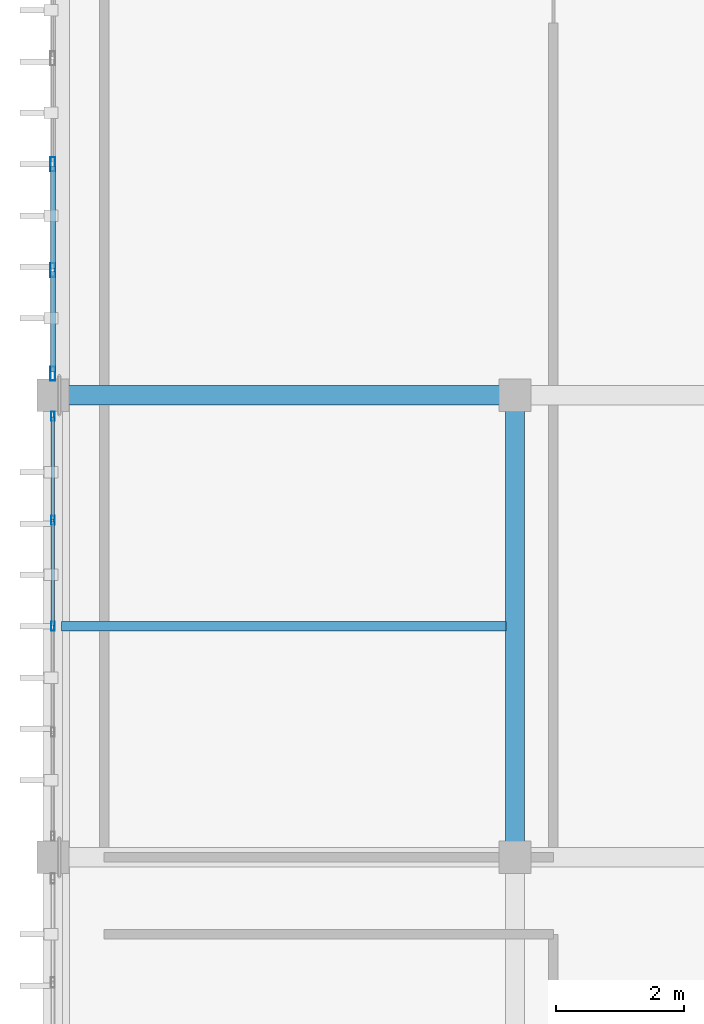
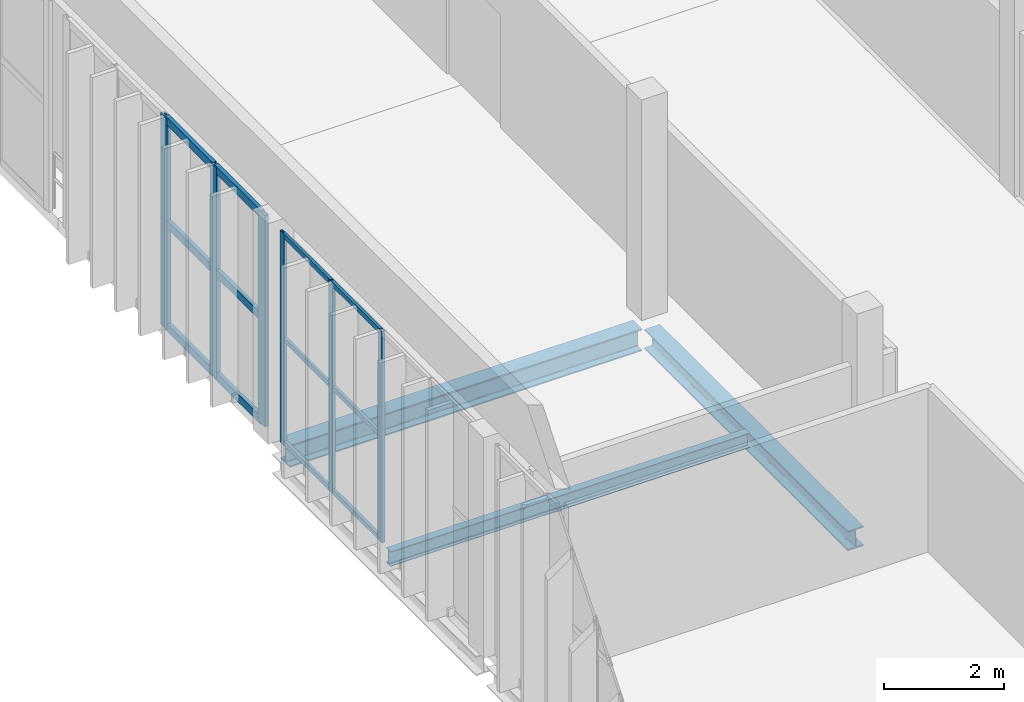
# One storey, part 27 of 64: 18 members, 3 beams, 2 elements without a shape of their own.
"""IFC4 building model written with IfcOpenShell, lengths in metres."""

from ifc_helpers import new_model, si_unit, direction, frame, origin, origin_2d, place, context, subcontext, project, spatial, hollow_rectangle, i_section, extrude, material, material_profile, profile_set, type_object, element, aggregate, save


model = new_model("IFC4")

# Units and contexts
model_context = context("Model", 3, precision=1e-05, world=origin(), true_north=direction((0.0, 1.0)))
body_context = subcontext(model_context, "Body", "Model", "MODEL_VIEW")
ifc_project = project(units=[si_unit("LENGTHUNIT", "METRE"), si_unit("AREAUNIT", "SQUARE_METRE"), si_unit("VOLUMEUNIT", "CUBIC_METRE"), si_unit("PLANEANGLEUNIT", "RADIAN"), si_unit("MASSUNIT", "GRAM", prefix="KILO")], contexts=[model_context])

# Site, building, storey
site_placement = place(None, origin())
site = spatial("IfcSite", under=ifc_project, at=site_placement, CompositionType="ELEMENT")
building_placement = place(site_placement, origin())
building = spatial("IfcBuilding", under=site, at=building_placement, Name="Qandorah Velis Arena", CompositionType="ELEMENT")
storey_placement = place(building_placement, frame((0.0, 0.0, 23.0)))
storey = spatial("IfcBuildingStorey", under=building, at=storey_placement, Name="L05", CompositionType="ELEMENT", Elevation=23.0)

# Curtain wall, members
ifc_material_1 = material(Name="Solar-control low-E double glazing", Category="glass")
curtain_wall_type_1 = type_object("IfcCurtainWallType", Name="ARC-CW-SYS04", PredefinedType="USERDEFINED", material=ifc_material_1)
curtain_wall_1_placement = place(storey_placement, origin())
curtain_wall_1 = element("IfcCurtainWall", 1, at=curtain_wall_1_placement, inside=storey, type_object=curtain_wall_type_1, Name="Unitised curtain wall L05-052", ObjectType="UNITISED CURTAIN WALL", PredefinedType="USERDEFINED")
ifc_material_2 = material(Name="Champagne-bronze anodized aluminium 6063-T6", Category="aluminium")
ifc_material_profile_1 = material_profile(ifc_material_2, hollow_rectangle(XDim=0.054931640625, YDim=0.139892578125, WallThickness=0.0029296875, at=origin_2d()), Name="ALU MULLION 55x140")
ifc_profile_set_1 = profile_set([ifc_material_profile_1], Name="Champagne-bronze anodized aluminium 6063-T6")
member_type_1 = type_object("IfcMemberType", Name="ARC-CWM-140", PredefinedType="MULLION", material=ifc_profile_set_1)
member_1_placement = place(storey_placement, frame((0.0, 104.39990234375, -0.014892578125), z_axis=(0.0, 0.0, 1.0), x_axis=(-1.0, 0.0, 0.0)))
member_1 = element("IfcMember", 2, at=member_1_placement, type_object=member_type_1, Name="CW04 mullion 3", PredefinedType="MULLION", context=body_context, shape_type="SweptSolid", body=[
    extrude(hollow_rectangle(XDim=0.054931640625, YDim=0.139892578125, WallThickness=0.0029296875, at=origin_2d()), origin(), (0.0, 0.0, 1.0), 4.309814453125),
])
member_2_placement = place(storey_placement, frame((0.0, 106.050048828125, -0.014892578125), z_axis=(0.0, 0.0, 1.0), x_axis=(-1.0, 0.0, 0.0)))
member_2 = element("IfcMember", 3, at=member_2_placement, type_object=member_type_1, Name="CW04 mullion 4", PredefinedType="MULLION", context=body_context, shape_type="SweptSolid", body=[
    extrude(hollow_rectangle(XDim=0.054931640625, YDim=0.139892578125, WallThickness=0.0029296875, at=origin_2d()), origin(), (0.0, 0.0, 1.0), 4.309814453125),
])
member_3_placement = place(storey_placement, frame((0.0, 107.672607421875, -0.014892578125), z_axis=(0.0, 0.0, 1.0), x_axis=(-1.0, 0.0, 0.0)))
member_3 = element("IfcMember", 4, at=member_3_placement, type_object=member_type_1, Name="CW04 mullion 5", PredefinedType="MULLION", context=body_context, shape_type="SweptSolid", body=[
    extrude(hollow_rectangle(XDim=0.054931640625, YDim=0.139892578125, WallThickness=0.0029296875, at=origin_2d()), origin(), (0.0, 0.0, 1.0), 4.309814453125),
])

curtain_wall_type_2 = type_object("IfcCurtainWallType", Name="ARC-CW-SYS05", PredefinedType="USERDEFINED", material=ifc_material_1)
curtain_wall_2_placement = place(storey_placement, origin())
curtain_wall_2 = element("IfcCurtainWall", 5, at=curtain_wall_2_placement, inside=storey, type_object=curtain_wall_type_2, Name="Unitised curtain wall L05-053", ObjectType="UNITISED CURTAIN WALL", PredefinedType="USERDEFINED")
ifc_material_profile_2 = material_profile(ifc_material_2, hollow_rectangle(XDim=0.074951171875, YDim=0.219970703125, WallThickness=0.00390625, at=origin_2d()), Name="ALU MULLION 75x220")
ifc_profile_set_2 = profile_set([ifc_material_profile_2], Name="Champagne-bronze anodized aluminium 6063-T6")
member_type_2 = type_object("IfcMemberType", Name="ARC-CWM-220", PredefinedType="MULLION", material=ifc_profile_set_2)
member_4_placement = place(storey_placement, frame((0.0, 108.33740234375, -0.014892578125), z_axis=(0.0, 0.0, 1.0), x_axis=(-1.0, 0.0, 0.0)))
member_4 = element("IfcMember", 6, at=member_4_placement, type_object=member_type_2, Name="CW05 mullion 1", PredefinedType="MULLION", context=body_context, shape_type="SweptSolid", body=[
    extrude(hollow_rectangle(XDim=0.074951171875, YDim=0.219970703125, WallThickness=0.00390625, at=origin_2d()), origin(), (0.0, 0.0, 1.0), 4.309814453125),
])
member_5_placement = place(storey_placement, frame((0.0, 109.949951171875, -0.014892578125), z_axis=(0.0, 0.0, 1.0), x_axis=(-1.0, 0.0, 0.0)))
member_5 = element("IfcMember", 7, at=member_5_placement, type_object=member_type_2, Name="CW05 mullion 2", PredefinedType="MULLION", context=body_context, shape_type="SweptSolid", body=[
    extrude(hollow_rectangle(XDim=0.074951171875, YDim=0.219970703125, WallThickness=0.00390625, at=origin_2d()), origin(), (0.0, 0.0, 1.0), 4.309814453125),
])
member_6_placement = place(storey_placement, frame((0.0, 111.60009765625, -0.014892578125), z_axis=(0.0, 0.0, 1.0), x_axis=(-1.0, 0.0, 0.0)))
member_6 = element("IfcMember", 8, at=member_6_placement, type_object=member_type_2, Name="CW05 mullion 3", PredefinedType="MULLION", context=body_context, shape_type="SweptSolid", body=[
    extrude(hollow_rectangle(XDim=0.074951171875, YDim=0.219970703125, WallThickness=0.00390625, at=origin_2d()), origin(), (0.0, 0.0, 1.0), 4.309814453125),
])

# Member
ifc_material_profile_3 = material_profile(ifc_material_2, hollow_rectangle(XDim=0.054931640625, YDim=0.10009765625, WallThickness=0.0029296875, at=origin_2d()), Name="ALU TRANSOM 55x100")
ifc_profile_set_3 = profile_set([ifc_material_profile_3], Name="Champagne-bronze anodized aluminium 6063-T6")
member_type_3 = type_object("IfcMemberType", Name="ARC-CWT-100", PredefinedType="USERDEFINED", material=ifc_profile_set_3)
member_7_placement = place(storey_placement, frame((0.0, 104.41552734375, 0.027587890625), z_axis=(0.0, 1.0, 0.0), x_axis=(-1.0, 0.0, 0.0)))
member_7 = element("IfcMember", 9, at=member_7_placement, type_object=member_type_3, Name="CW04 transom 3.1", ObjectType="TRANSOM", PredefinedType="USERDEFINED", context=body_context, shape_type="SweptSolid", body=[
    extrude(hollow_rectangle(XDim=0.054931640625, YDim=0.10009765625, WallThickness=0.0029296875, at=origin_2d()), origin(), (0.0, 0.0, 1.0), 1.618896484375),
])

member_8_placement = place(storey_placement, frame((0.0, 104.41552734375, 2.139892578125), z_axis=(0.0, 1.0, 0.0), x_axis=(-1.0, 0.0, 0.0)))
member_8 = element("IfcMember", 10, at=member_8_placement, type_object=member_type_3, Name="CW04 transom 3.2", ObjectType="TRANSOM", PredefinedType="USERDEFINED", context=body_context, shape_type="SweptSolid", body=[
    extrude(hollow_rectangle(XDim=0.054931640625, YDim=0.10009765625, WallThickness=0.0029296875, at=origin_2d()), origin(), (0.0, 0.0, 1.0), 1.618896484375),
])

member_9_placement = place(storey_placement, frame((0.0, 104.41552734375, 4.25244140625), z_axis=(0.0, 1.0, 0.0), x_axis=(-1.0, 0.0, 0.0)))
member_9 = element("IfcMember", 11, at=member_9_placement, type_object=member_type_3, Name="CW04 transom 3.3", ObjectType="TRANSOM", PredefinedType="USERDEFINED", context=body_context, shape_type="SweptSolid", body=[
    extrude(hollow_rectangle(XDim=0.054931640625, YDim=0.10009765625, WallThickness=0.0029296875, at=origin_2d()), origin(), (0.0, 0.0, 1.0), 1.618896484375),
])

member_10_placement = place(storey_placement, frame((0.0, 106.0654296875, 0.027587890625), z_axis=(0.0, 1.0, 0.0), x_axis=(-1.0, 0.0, 0.0)))
member_10 = element("IfcMember", 12, at=member_10_placement, type_object=member_type_3, Name="CW04 transom 4.1", ObjectType="TRANSOM", PredefinedType="USERDEFINED", context=body_context, shape_type="SweptSolid", body=[
    extrude(hollow_rectangle(XDim=0.054931640625, YDim=0.10009765625, WallThickness=0.0029296875, at=origin_2d()), origin(), (0.0, 0.0, 1.0), 1.591552734375),
])

member_11_placement = place(storey_placement, frame((0.0, 106.0654296875, 2.139892578125), z_axis=(0.0, 1.0, 0.0), x_axis=(-1.0, 0.0, 0.0)))
member_11 = element("IfcMember", 13, at=member_11_placement, type_object=member_type_3, Name="CW04 transom 4.2", ObjectType="TRANSOM", PredefinedType="USERDEFINED", context=body_context, shape_type="SweptSolid", body=[
    extrude(hollow_rectangle(XDim=0.054931640625, YDim=0.10009765625, WallThickness=0.0029296875, at=origin_2d()), origin(), (0.0, 0.0, 1.0), 1.591552734375),
])

member_12_placement = place(storey_placement, frame((0.0, 106.0654296875, 4.25244140625), z_axis=(0.0, 1.0, 0.0), x_axis=(-1.0, 0.0, 0.0)))
member_12 = element("IfcMember", 14, at=member_12_placement, type_object=member_type_3, Name="CW04 transom 4.3", ObjectType="TRANSOM", PredefinedType="USERDEFINED", context=body_context, shape_type="SweptSolid", body=[
    extrude(hollow_rectangle(XDim=0.054931640625, YDim=0.10009765625, WallThickness=0.0029296875, at=origin_2d()), origin(), (0.0, 0.0, 1.0), 1.591552734375),
])

aggregate(curtain_wall_1, [member_1, member_2, member_3, member_7, member_8, member_9, member_10, member_11, member_12])

ifc_material_profile_4 = material_profile(ifc_material_2, hollow_rectangle(XDim=0.074951171875, YDim=0.159912109375, WallThickness=0.00341796875, at=origin_2d()), Name="ALU TRANSOM 75x160")
ifc_profile_set_4 = profile_set([ifc_material_profile_4], Name="Champagne-bronze anodized aluminium 6063-T6")
member_type_4 = type_object("IfcMemberType", Name="ARC-CWT-160", PredefinedType="USERDEFINED", material=ifc_profile_set_4)
member_13_placement = place(storey_placement, frame((0.0, 108.363037109375, 0.03759765625), z_axis=(0.0, 1.0, 0.0), x_axis=(-1.0, 0.0, 0.0)))
member_13 = element("IfcMember", 15, at=member_13_placement, type_object=member_type_4, Name="CW05 transom 1.1", ObjectType="TRANSOM", PredefinedType="USERDEFINED", context=body_context, shape_type="SweptSolid", body=[
    extrude(hollow_rectangle(XDim=0.074951171875, YDim=0.159912109375, WallThickness=0.00341796875, at=origin_2d()), origin(), (0.0, 0.0, 1.0), 1.5615234375),
])

member_14_placement = place(storey_placement, frame((0.0, 108.363037109375, 2.139892578125), z_axis=(0.0, 1.0, 0.0), x_axis=(-1.0, 0.0, 0.0)))
member_14 = element("IfcMember", 16, at=member_14_placement, type_object=member_type_4, Name="CW05 transom 1.2", ObjectType="TRANSOM", PredefinedType="USERDEFINED", context=body_context, shape_type="SweptSolid", body=[
    extrude(hollow_rectangle(XDim=0.074951171875, YDim=0.159912109375, WallThickness=0.00341796875, at=origin_2d()), origin(), (0.0, 0.0, 1.0), 1.5615234375),
])

member_15_placement = place(storey_placement, frame((0.0, 108.363037109375, 4.242431640625), z_axis=(0.0, 1.0, 0.0), x_axis=(-1.0, 0.0, 0.0)))
member_15 = element("IfcMember", 17, at=member_15_placement, type_object=member_type_4, Name="CW05 transom 1.3", ObjectType="TRANSOM", PredefinedType="USERDEFINED", context=body_context, shape_type="SweptSolid", body=[
    extrude(hollow_rectangle(XDim=0.074951171875, YDim=0.159912109375, WallThickness=0.00341796875, at=origin_2d()), origin(), (0.0, 0.0, 1.0), 1.5615234375),
])

member_16_placement = place(storey_placement, frame((0.0, 109.9755859375, 0.03759765625), z_axis=(0.0, 1.0, 0.0), x_axis=(-1.0, 0.0, 0.0)))
member_16 = element("IfcMember", 18, at=member_16_placement, type_object=member_type_4, Name="CW05 transom 2.1", ObjectType="TRANSOM", PredefinedType="USERDEFINED", context=body_context, shape_type="SweptSolid", body=[
    extrude(hollow_rectangle(XDim=0.074951171875, YDim=0.159912109375, WallThickness=0.00341796875, at=origin_2d()), origin(), (0.0, 0.0, 1.0), 1.598876953125),
])

member_17_placement = place(storey_placement, frame((0.0, 109.9755859375, 2.139892578125), z_axis=(0.0, 1.0, 0.0), x_axis=(-1.0, 0.0, 0.0)))
member_17 = element("IfcMember", 19, at=member_17_placement, type_object=member_type_4, Name="CW05 transom 2.2", ObjectType="TRANSOM", PredefinedType="USERDEFINED", context=body_context, shape_type="SweptSolid", body=[
    extrude(hollow_rectangle(XDim=0.074951171875, YDim=0.159912109375, WallThickness=0.00341796875, at=origin_2d()), origin(), (0.0, 0.0, 1.0), 1.598876953125),
])

member_18_placement = place(storey_placement, frame((0.0, 109.9755859375, 4.242431640625), z_axis=(0.0, 1.0, 0.0), x_axis=(-1.0, 0.0, 0.0)))
member_18 = element("IfcMember", 20, at=member_18_placement, type_object=member_type_4, Name="CW05 transom 2.3", ObjectType="TRANSOM", PredefinedType="USERDEFINED", context=body_context, shape_type="SweptSolid", body=[
    extrude(hollow_rectangle(XDim=0.074951171875, YDim=0.159912109375, WallThickness=0.00341796875, at=origin_2d()), origin(), (0.0, 0.0, 1.0), 1.598876953125),
])

aggregate(curtain_wall_2, [member_4, member_5, member_6, member_13, member_14, member_15, member_16, member_17, member_18])

# Beams
ifc_material_3 = material(Name="Steel S355", Category="steel")
ifc_material_profile_5 = material_profile(ifc_material_3, i_section(OverallWidth=0.300048828125, OverallDepth=0.39990234375, WebThickness=0.013427734375, FlangeThickness=0.02392578125, FilletRadius=0.027099609375, at=origin_2d()), Name="HEB 400")
ifc_profile_set_5 = profile_set([ifc_material_profile_5], Name="Steel S355")
beam_type_1 = type_object("IfcBeamType", Name="STR-BM-HEB400", PredefinedType="BEAM", material=ifc_profile_set_5)
beam_1_placement = place(storey_placement, frame((7.199951171875, 101.02490234375, -0.449951171875), z_axis=(0.0, 1.0, 0.0), x_axis=(-1.0, 0.0, 0.0)))
element("IfcBeam", 21, at=beam_1_placement, inside=storey, type_object=beam_type_1, Name="Primary floor girder L05 Y-137", PredefinedType="BEAM", context=body_context, shape_type="SweptSolid", body=[
    extrude(i_section(OverallWidth=0.300048828125, OverallDepth=0.39990234375, WebThickness=0.013427734375, FlangeThickness=0.02392578125, FilletRadius=0.027099609375, at=origin_2d()), origin(), (0.0, 0.0, 1.0), 6.796630859375),
])
ifc_material_profile_6 = material_profile(ifc_material_3, i_section(OverallWidth=0.300048828125, OverallDepth=0.449951171875, WebThickness=0.013916015625, FlangeThickness=0.02587890625, FilletRadius=0.027099609375, at=origin_2d()), Name="HEB 450")
ifc_profile_set_6 = profile_set([ifc_material_profile_6], Name="Steel S355")
beam_type_2 = type_object("IfcBeamType", Name="STR-BM-HEB450", PredefinedType="BEAM", material=ifc_profile_set_6)
beam_2_placement = place(storey_placement, frame((0.22509765625, 108.0, -0.47509765625), z_axis=(1.0, 0.0, 0.0), x_axis=(0.0, 1.0, 0.0)))
element("IfcBeam", 22, at=beam_2_placement, inside=storey, type_object=beam_type_2, Name="Primary floor girder L05 X-073", PredefinedType="BEAM", context=body_context, shape_type="SweptSolid", body=[
    extrude(i_section(OverallWidth=0.300048828125, OverallDepth=0.449951171875, WebThickness=0.013916015625, FlangeThickness=0.02587890625, FilletRadius=0.027099609375, at=origin_2d()), origin(), (0.0, 0.0, 1.0), 6.79638671875),
])
ifc_material_profile_7 = material_profile(ifc_material_3, i_section(OverallWidth=0.14990234375, OverallDepth=0.300048828125, WebThickness=0.007080078125, FlangeThickness=0.0107421875, FilletRadius=0.014892578125, at=origin_2d()), Name="IPE 300")
ifc_profile_set_7 = profile_set([ifc_material_profile_7], Name="Steel S355")
beam_type_3 = type_object("IfcBeamType", Name="STR-JST-IPE300", PredefinedType="JOIST", material=ifc_profile_set_7)
beam_3_placement = place(storey_placement, frame((0.135009765625, 104.39990234375, -0.39990234375), z_axis=(1.0, 0.0, 0.0), x_axis=(0.0, 1.0, 0.0)))
element("IfcBeam", 23, at=beam_3_placement, inside=storey, type_object=beam_type_3, Name="Secondary floor joist L05-008", PredefinedType="JOIST", context=body_context, shape_type="SweptSolid", body=[
    extrude(i_section(OverallWidth=0.14990234375, OverallDepth=0.300048828125, WebThickness=0.007080078125, FlangeThickness=0.0107421875, FilletRadius=0.014892578125, at=origin_2d()), origin(), (0.0, 0.0, 1.0), 6.929931640625),
])

save(model, "model.ifc")
